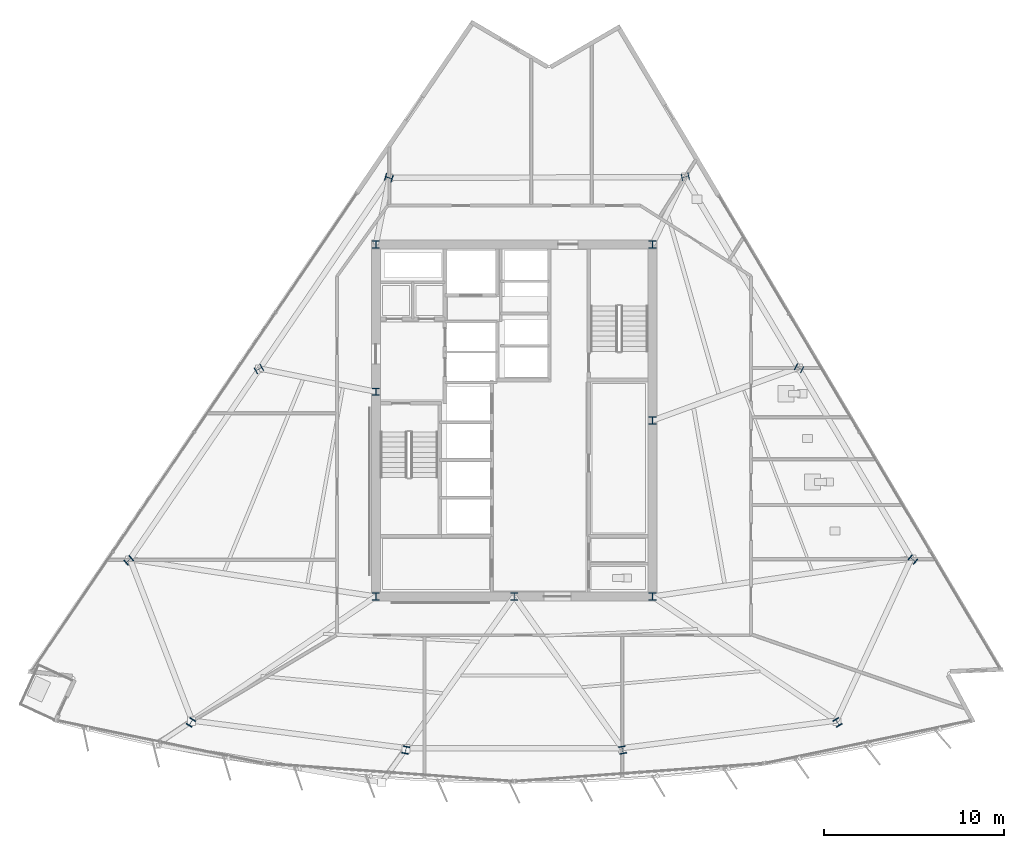
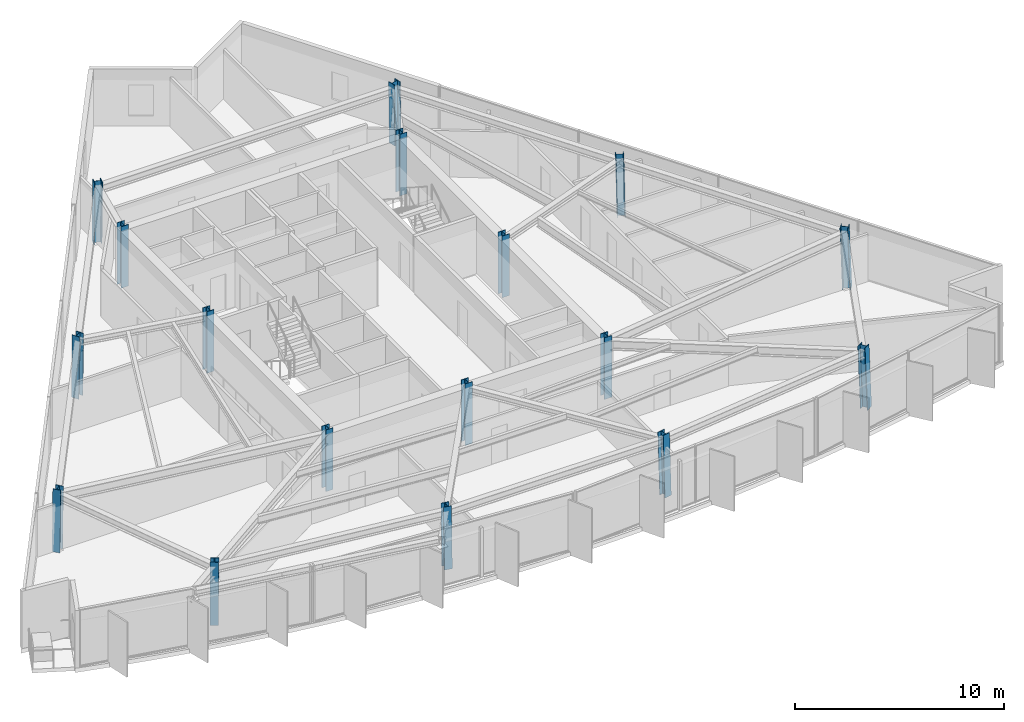
# One storey, part 1 of 15: 17 columns.
"""IFC4 building model written with IfcOpenShell, lengths in metres."""

from ifc_helpers import new_model, si_unit, direction, frame, origin, origin_2d, place, context, subcontext, project, spatial, i_section, extrude, material, material_profile, profile_set, type_object, element, save


model = new_model("IFC4")

# Units and contexts
model_context = context("Model", 3, precision=1e-05, world=origin(), true_north=direction((0.0, 1.0)))
body_context = subcontext(model_context, "Body", "Model", "MODEL_VIEW")
ifc_project = project(units=[si_unit("LENGTHUNIT", "METRE"), si_unit("AREAUNIT", "SQUARE_METRE"), si_unit("VOLUMEUNIT", "CUBIC_METRE"), si_unit("PLANEANGLEUNIT", "RADIAN"), si_unit("MASSUNIT", "GRAM", prefix="KILO")], contexts=[model_context])

# Site, building, storey
site_placement = place(None, origin())
site = spatial("IfcSite", under=ifc_project, at=site_placement, CompositionType="ELEMENT")
building_placement = place(site_placement, origin())
building = spatial("IfcBuilding", under=site, at=building_placement, Name="Savorim Split Tower", CompositionType="ELEMENT")
storey_placement = place(building_placement, frame((0.0, 0.0, 145.800048828125)))
storey = spatial("IfcBuildingStorey", under=building, at=storey_placement, Name="L38", CompositionType="ELEMENT", Elevation=145.800048828125)

# Columns
ifc_material = material(Name="Steel S460", Category="steel")
ifc_material_profile = material_profile(ifc_material, i_section(OverallWidth=0.404052734375, OverallDepth=0.406982421875, WebThickness=0.017333984375, FlangeThickness=0.028076171875, FilletRadius=0.014892578125, at=origin_2d()), Name="HD 400x347")
ifc_profile_set = profile_set([ifc_material_profile], Name="Steel S460")
column_type = type_object("IfcColumnType", Name="COL-HD-347", PredefinedType="COLUMN", material=ifc_profile_set)
for number, where, z_axis, x_axis, name in (
    (1, (-7.699951171875, -9.39990234375, 0.0), (0.0, 0.0, 1.0), (1.0, 0.0, 0.0), "L38 Core Structural Column TC-C1"),
    (2, (7.699951171875, -9.39990234375, 0.0), (0.0, 0.0, 1.0), (1.0, 0.0, 0.0), "L38 Core Structural Column TC-C2"),
    (3, (7.699951171875, 10.199951171875, 0.0), (0.0, 0.0, 1.0), (1.0, 0.0, 0.0), "L38 Core Structural Column TC-C3"),
    (4, (-7.699951171875, 10.199951171875, 0.0), (0.0, 0.0, 1.0), (1.0, 0.0, 0.0), "L38 Core Structural Column TC-C4"),
    (5, (0.0, -9.39990234375, 0.0), (0.0, 0.0, 1.0), (1.0, 0.0, 0.0), "L38 Core Structural Column TC-C5"),
    (6, (7.699951171875, 0.39990234375, 0.0), (0.0, 0.0, 1.0), (1.0, 0.0, 0.0), "L38 Core Structural Column TC-C6"),
    (7, (-7.699951171875, 2.0, 0.0), (0.0, 0.0, 1.0), (1.0, 0.0, 0.0), "L38 Core Structural Column TC-C7"),
):
    element("IfcColumn", number, at=place(storey_placement, frame(where, z_axis=z_axis, x_axis=x_axis)), inside=storey, type_object=column_type, Name=name, PredefinedType="COLUMN", context=body_context, shape_type="SweptSolid", body=[
        extrude(i_section(OverallWidth=0.404052734375, OverallDepth=0.406982421875, WebThickness=0.017333984375, FlangeThickness=0.028076171875, FilletRadius=0.014892578125, at=origin_2d()), origin(), (0.0, 0.0, 1.0), 3.599853515625),
    ])
column_1_placement = place(storey_placement, frame((-18.0068359375, -16.427978515625, 0.00537109375), z_axis=(0.020662834962, 0.033509136961, 0.999224792022), x_axis=(-0.851183725565, 0.524867855115, 0.0)))
element("IfcColumn", 8, at=column_1_placement, inside=storey, type_object=column_type, Name="L38 Tapered Perimeter Column PC-S1", PredefinedType="COLUMN", context=body_context, shape_type="SweptSolid", body=[
    extrude(i_section(OverallWidth=0.404052734375, OverallDepth=0.406982421875, WebThickness=0.017333984375, FlangeThickness=0.028076171875, FilletRadius=0.014892578125, at=origin_2d()), origin(), (0.0, 0.0, 1.0), 3.591796875),
])
for number, where, z_axis, x_axis, name in (
    (9, (-6.034912109375, -17.965087890625, 0.00537109375), (0.006865841702, 0.035280909339, 0.999353850072), (-0.981585848295, 0.191021523464, 0.0), "L38 Tapered Perimeter Column PC-S2"),
    (10, (6.034912109375, -17.965087890625, 0.00537109375), (-0.006865841702, 0.035280909339, 0.999353850072), (-0.981585848295, -0.191021523464, 0.0), "L38 Tapered Perimeter Column PC-S3"),
):
    element("IfcColumn", number, at=place(storey_placement, frame(where, z_axis=z_axis, x_axis=x_axis)), inside=storey, type_object=column_type, Name=name, PredefinedType="COLUMN", context=body_context, shape_type="SweptSolid", body=[
        extrude(i_section(OverallWidth=0.404052734375, OverallDepth=0.406982421875, WebThickness=0.017333984375, FlangeThickness=0.028076171875, FilletRadius=0.014892578125, at=origin_2d()), origin(), (0.0, 0.0, 1.0), 3.591552734375),
    ])
column_2_placement = place(storey_placement, frame((18.0068359375, -16.427978515625, 0.00537109375), z_axis=(-0.020662834962, 0.033509136961, 0.999224792022), x_axis=(-0.851183725565, -0.524867855115, 0.0)))
element("IfcColumn", 11, at=column_2_placement, inside=storey, type_object=column_type, Name="L38 Tapered Perimeter Column PC-S4", PredefinedType="COLUMN", context=body_context, shape_type="SweptSolid", body=[
    extrude(i_section(OverallWidth=0.404052734375, OverallDepth=0.406982421875, WebThickness=0.017333984375, FlangeThickness=0.028076171875, FilletRadius=0.014892578125, at=origin_2d()), origin(), (0.0, 0.0, 1.0), 3.591796875),
])
column_3_placement = place(storey_placement, frame((22.204345703125, -7.353271484375, 0.00537109375), z_axis=(-0.026105663043, 0.021618752208, 0.999425396871), x_axis=(-0.637813971185, -0.770190455771, 0.0)))
element("IfcColumn", 12, at=column_3_placement, inside=storey, type_object=column_type, Name="L38 Tapered Perimeter Column PC-E1", PredefinedType="COLUMN", context=body_context, shape_type="SweptSolid", body=[
    extrude(i_section(OverallWidth=0.404052734375, OverallDepth=0.406982421875, WebThickness=0.017333984375, FlangeThickness=0.028076171875, FilletRadius=0.014892578125, at=origin_2d()), origin(), (0.0, 0.0, 1.0), 3.591064453125),
])
column_4_placement = place(storey_placement, frame((15.86865234375, 3.302001953125, 0.00537109375), z_axis=(-0.018974023902, 0.009521015578, 0.999774642947), x_axis=(-0.44849454954, -0.893785566583, 0.0)))
element("IfcColumn", 13, at=column_4_placement, inside=storey, type_object=column_type, Name="L38 Tapered Perimeter Column PC-E2", PredefinedType="COLUMN", context=body_context, shape_type="SweptSolid", body=[
    extrude(i_section(OverallWidth=0.404052734375, OverallDepth=0.406982421875, WebThickness=0.017333984375, FlangeThickness=0.028076171875, FilletRadius=0.014892578125, at=origin_2d()), origin(), (0.0, 0.0, 1.0), 3.58984375),
])
for number, where, z_axis, x_axis, name in (
    (14, (9.53271484375, 13.957275390625, 0.00537109375), (-0.011767054935, -0.002516653368, 0.999927598816), (0.209143047003, -0.977885057607, 0.0), "L38 Tapered Perimeter Column PC-E3"),
    (15, (-6.977783203125, 13.908447265625, 0.00537109375), (0.008774547672, -0.002516730728, 0.999958335822), (0.275705143097, 0.961242255662, 0.0), "L38 Tapered Perimeter Column PC-W1"),
):
    element("IfcColumn", number, at=place(storey_placement, frame(where, z_axis=z_axis, x_axis=x_axis)), inside=storey, type_object=column_type, Name=name, PredefinedType="COLUMN", context=body_context, shape_type="SweptSolid", body=[
        extrude(i_section(OverallWidth=0.404052734375, OverallDepth=0.406982421875, WebThickness=0.017333984375, FlangeThickness=0.028076171875, FilletRadius=0.014892578125, at=origin_2d()), origin(), (0.0, 0.0, 1.0), 3.58935546875),
    ])
column_5_placement = place(storey_placement, frame((-14.226318359375, 3.253173828125, 0.00537109375), z_axis=(0.017002405671, 0.009589356798, 0.999809463067), x_axis=(-0.491253415567, 0.871016694268, 0.0)))
element("IfcColumn", 16, at=column_5_placement, inside=storey, type_object=column_type, Name="L38 Tapered Perimeter Column PC-W2", PredefinedType="COLUMN", context=body_context, shape_type="SweptSolid", body=[
    extrude(i_section(OverallWidth=0.404052734375, OverallDepth=0.406982421875, WebThickness=0.017333984375, FlangeThickness=0.028076171875, FilletRadius=0.014892578125, at=origin_2d()), origin(), (0.0, 0.0, 1.0), 3.58984375),
])
column_6_placement = place(storey_placement, frame((-21.474853515625, -7.402099609375, 0.00537109375), z_axis=(0.025222449659, 0.021619242565, 0.999448065876), x_axis=(-0.650791373456, 0.759256602365, 0.0)))
element("IfcColumn", 17, at=column_6_placement, inside=storey, type_object=column_type, Name="L38 Tapered Perimeter Column PC-W3", PredefinedType="COLUMN", context=body_context, shape_type="SweptSolid", body=[
    extrude(i_section(OverallWidth=0.404052734375, OverallDepth=0.406982421875, WebThickness=0.017333984375, FlangeThickness=0.028076171875, FilletRadius=0.014892578125, at=origin_2d()), origin(), (0.0, 0.0, 1.0), 3.591064453125),
])

save(model, "model.ifc")
